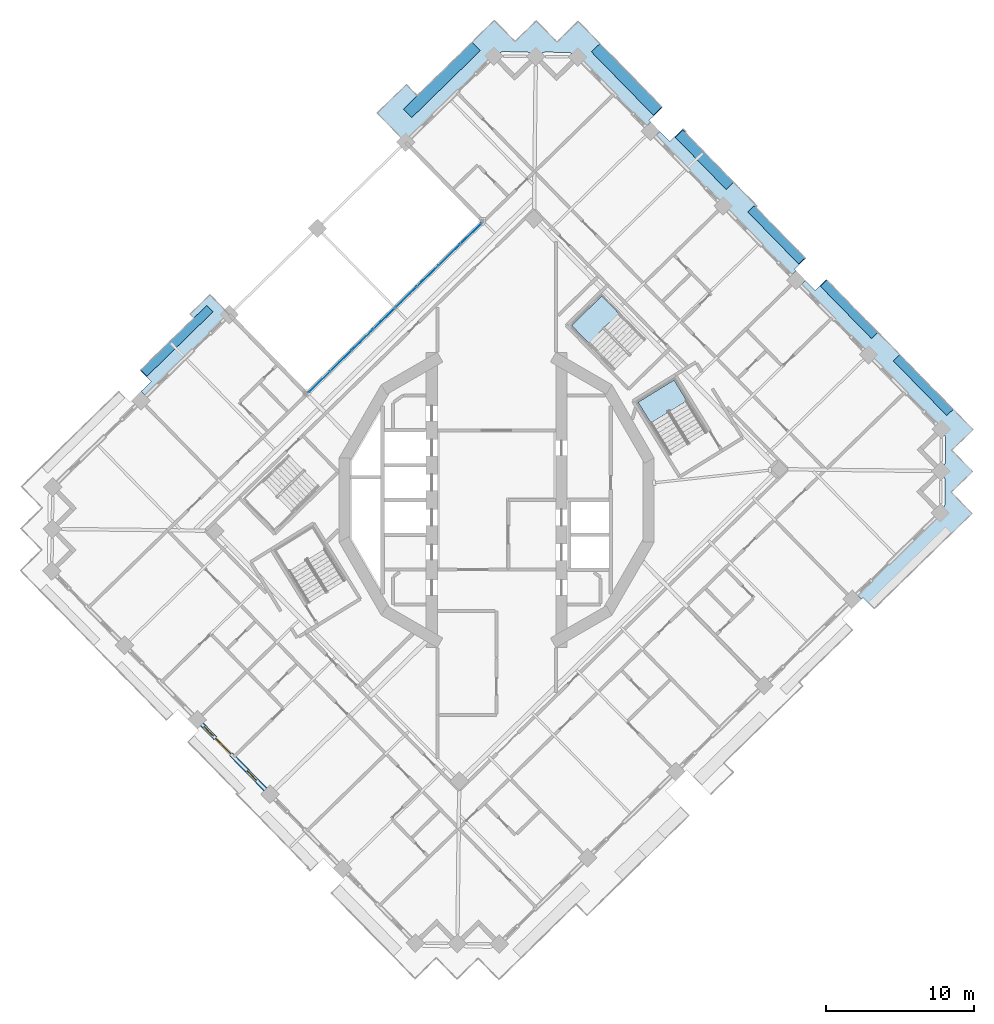
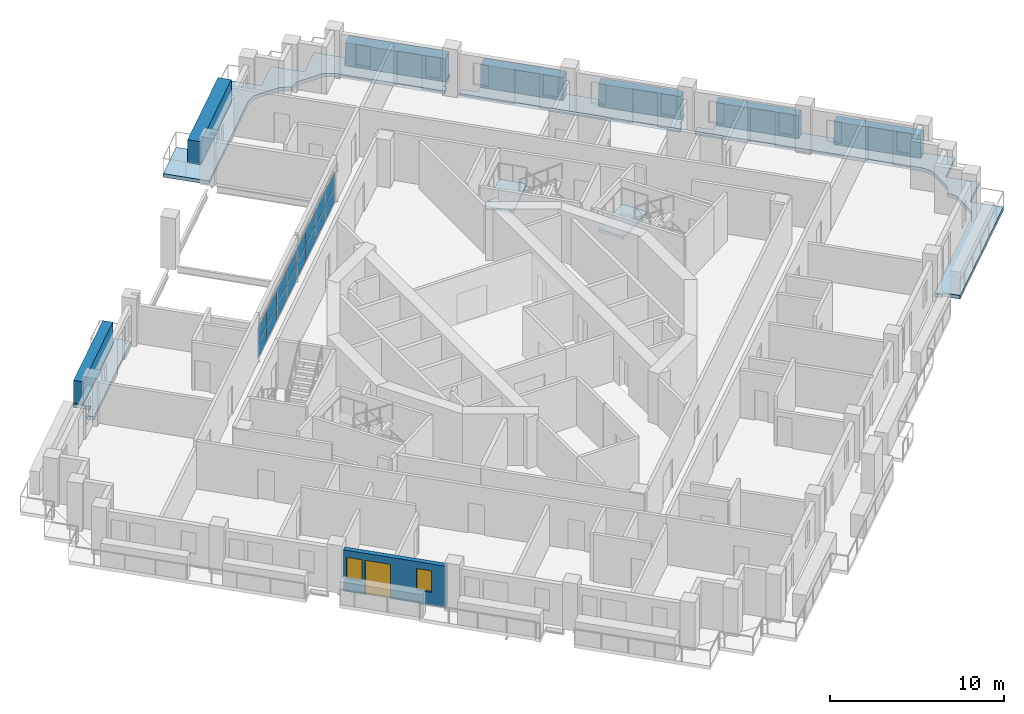
# One storey, part 4 of 18: 23 plates, 6 slabs, 2 windows, 1 door, 1 wall, 3 openings, 3 elements without a shape of their own.
"""IFC4 building model written with IfcOpenShell, lengths in metres."""

from ifc_helpers import new_model, si_unit, direction, frame, frame_2d, origin, origin_2d, place, context, subcontext, project, spatial, polyline, rectangle, outline, extrude, material, layer, layer_set, type_object, element, fill, aggregate, save


model = new_model("IFC4")

# Units and contexts
model_context = context("Model", 3, precision=1e-05, world=origin(), true_north=direction((0.0, 1.0)))
body_context = subcontext(model_context, "Body", "Model", "MODEL_VIEW")
ifc_project = project(units=[si_unit("LENGTHUNIT", "METRE"), si_unit("AREAUNIT", "SQUARE_METRE"), si_unit("VOLUMEUNIT", "CUBIC_METRE"), si_unit("PLANEANGLEUNIT", "RADIAN"), si_unit("MASSUNIT", "GRAM", prefix="KILO")], contexts=[model_context])

# Site, building, storey
site_placement = place(None, origin())
site = spatial("IfcSite", under=ifc_project, at=site_placement, CompositionType="ELEMENT")
building_placement = place(site_placement, origin())
building = spatial("IfcBuilding", under=site, at=building_placement, Name="Cantera Rosa Tower", CompositionType="ELEMENT")
storey_placement = place(building_placement, frame((0.0, 0.0, 219.800048828125)))
storey = spatial("IfcBuildingStorey", under=building, at=storey_placement, Name="L47", CompositionType="ELEMENT", Elevation=219.800048828125)

# Curtain wall, plates
ifc_material_1 = material(Name="Aluminium frame with clear glass", Category="aluminium")
curtain_wall_type = type_object("IfcCurtainWallType", Name="CW1 TERRACE POCKET GLAZING", PredefinedType="NOTDEFINED", material=ifc_material_1)
curtain_wall_placement = place(storey_placement, origin())
curtain_wall = element("IfcCurtainWall", 1, at=curtain_wall_placement, inside=storey, type_object=curtain_wall_type, Name="CW1 CW1", PredefinedType="NOTDEFINED")
ifc_material_2 = material(Name="Aluminium frame with clear glass", Category="aluminium")
ifc_layer_1 = layer(ifc_material_2, 0.028076171875)
ifc_layer_set_1 = layer_set([ifc_layer_1], Name="CW-PANEL POCKET")
plate_type_1 = type_object("IfcPlateType", Name="CW-PANEL POCKET", PredefinedType="CURTAIN_PANEL", material=ifc_layer_set_1)
plate_1_placement = place(storey_placement, frame((-1.724609375, 17.95751953125, 0.06005859375), z_axis=(0.0, 0.0, 1.0), x_axis=(-0.71528629107, -0.698831540364, 0.0)))
plate_1 = element("IfcPlate", 2, at=plate_1_placement, type_object=plate_type_1, Name="CW1 panel 1.1", PredefinedType="CURTAIN_PANEL", context=body_context, shape_type="SweptSolid", body=[
    extrude(rectangle(XDim=1.958740234375, YDim=0.028076171875, at=origin_2d()), origin(), (0.0, 0.0, 1.0), 1.012939453125),
])
plate_2_placement = place(storey_placement, frame((-1.724609375, 17.95751953125, 1.1328125), z_axis=(0.0, 0.0, 1.0), x_axis=(-0.71528629107, -0.698831540364, 0.0)))
plate_2 = element("IfcPlate", 3, at=plate_2_placement, type_object=plate_type_1, Name="CW1 panel 1.2", PredefinedType="CURTAIN_PANEL", context=body_context, shape_type="SweptSolid", body=[
    extrude(rectangle(XDim=1.958740234375, YDim=0.028076171875, at=origin_2d()), origin(), (0.0, 0.0, 1.0), 1.012939453125),
])
plate_3_placement = place(storey_placement, frame((-3.179443359375, 16.5361328125, 0.06005859375), z_axis=(0.0, 0.0, 1.0), x_axis=(-0.71528629107, -0.698831540364, 0.0)))
plate_3 = element("IfcPlate", 4, at=plate_3_placement, type_object=plate_type_1, Name="CW1 panel 2.1", PredefinedType="CURTAIN_PANEL", context=body_context, shape_type="SweptSolid", body=[
    extrude(rectangle(XDim=1.98876953125, YDim=0.028076171875, at=origin_2d()), origin(), (0.0, 0.0, 1.0), 1.012939453125),
])
plate_4_placement = place(storey_placement, frame((-3.179443359375, 16.5361328125, 1.1328125), z_axis=(0.0, 0.0, 1.0), x_axis=(-0.71528629107, -0.698831540364, 0.0)))
plate_4 = element("IfcPlate", 5, at=plate_4_placement, type_object=plate_type_1, Name="CW1 panel 2.2", PredefinedType="CURTAIN_PANEL", context=body_context, shape_type="SweptSolid", body=[
    extrude(rectangle(XDim=1.98876953125, YDim=0.028076171875, at=origin_2d()), origin(), (0.0, 0.0, 1.0), 1.012939453125),
])
plate_5_placement = place(storey_placement, frame((-4.644775390625, 15.1044921875, 0.06005859375), z_axis=(0.0, 0.0, 1.0), x_axis=(-0.71528629107, -0.698831540364, 0.0)))
plate_5 = element("IfcPlate", 6, at=plate_5_placement, type_object=plate_type_1, Name="CW1 panel 3.1", PredefinedType="CURTAIN_PANEL", context=body_context, shape_type="SweptSolid", body=[
    extrude(rectangle(XDim=1.98876953125, YDim=0.028076171875, at=origin_2d()), origin(), (0.0, 0.0, 1.0), 1.012939453125),
])
plate_6_placement = place(storey_placement, frame((-4.644775390625, 15.1044921875, 1.1328125), z_axis=(0.0, 0.0, 1.0), x_axis=(-0.71528629107, -0.698831540364, 0.0)))
plate_6 = element("IfcPlate", 7, at=plate_6_placement, type_object=plate_type_1, Name="CW1 panel 3.2", PredefinedType="CURTAIN_PANEL", context=body_context, shape_type="SweptSolid", body=[
    extrude(rectangle(XDim=1.98876953125, YDim=0.028076171875, at=origin_2d()), origin(), (0.0, 0.0, 1.0), 1.012939453125),
])
plate_7_placement = place(storey_placement, frame((-6.1103515625, 13.6728515625, 0.06005859375), z_axis=(0.0, 0.0, 1.0), x_axis=(-0.71528629107, -0.698831540364, 0.0)))
plate_7 = element("IfcPlate", 8, at=plate_7_placement, type_object=plate_type_1, Name="CW1 panel 4.1", PredefinedType="CURTAIN_PANEL", context=body_context, shape_type="SweptSolid", body=[
    extrude(rectangle(XDim=1.98876953125, YDim=0.028076171875, at=origin_2d()), origin(), (0.0, 0.0, 1.0), 1.012939453125),
])
plate_8_placement = place(storey_placement, frame((-6.1103515625, 13.6728515625, 1.1328125), z_axis=(0.0, 0.0, 1.0), x_axis=(-0.71528629107, -0.698831540364, 0.0)))
plate_8 = element("IfcPlate", 9, at=plate_8_placement, type_object=plate_type_1, Name="CW1 panel 4.2", PredefinedType="CURTAIN_PANEL", context=body_context, shape_type="SweptSolid", body=[
    extrude(rectangle(XDim=1.98876953125, YDim=0.028076171875, at=origin_2d()), origin(), (0.0, 0.0, 1.0), 1.012939453125),
])
plate_9_placement = place(storey_placement, frame((-7.57568359375, 12.240966796875, 0.06005859375), z_axis=(0.0, 0.0, 1.0), x_axis=(-0.71528629107, -0.698831540364, 0.0)))
plate_9 = element("IfcPlate", 10, at=plate_9_placement, type_object=plate_type_1, Name="CW1 panel 5.1", PredefinedType="CURTAIN_PANEL", context=body_context, shape_type="SweptSolid", body=[
    extrude(rectangle(XDim=1.98876953125, YDim=0.028076171875, at=origin_2d()), origin(), (0.0, 0.0, 1.0), 1.012939453125),
])
plate_10_placement = place(storey_placement, frame((-7.57568359375, 12.240966796875, 1.1328125), z_axis=(0.0, 0.0, 1.0), x_axis=(-0.71528629107, -0.698831540364, 0.0)))
plate_10 = element("IfcPlate", 11, at=plate_10_placement, type_object=plate_type_1, Name="CW1 panel 5.2", PredefinedType="CURTAIN_PANEL", context=body_context, shape_type="SweptSolid", body=[
    extrude(rectangle(XDim=1.98876953125, YDim=0.028076171875, at=origin_2d()), origin(), (0.0, 0.0, 1.0), 1.012939453125),
])
plate_11_placement = place(storey_placement, frame((-9.041259765625, 10.809326171875, 0.06005859375), z_axis=(0.0, 0.0, 1.0), x_axis=(-0.71528629107, -0.698831540364, 0.0)))
plate_11 = element("IfcPlate", 12, at=plate_11_placement, type_object=plate_type_1, Name="CW1 panel 6.1", PredefinedType="CURTAIN_PANEL", context=body_context, shape_type="SweptSolid", body=[
    extrude(rectangle(XDim=1.98876953125, YDim=0.028076171875, at=origin_2d()), origin(), (0.0, 0.0, 1.0), 1.012939453125),
])
plate_12_placement = place(storey_placement, frame((-9.041259765625, 10.809326171875, 1.1328125), z_axis=(0.0, 0.0, 1.0), x_axis=(-0.71528629107, -0.698831540364, 0.0)))
plate_12 = element("IfcPlate", 13, at=plate_12_placement, type_object=plate_type_1, Name="CW1 panel 6.2", PredefinedType="CURTAIN_PANEL", context=body_context, shape_type="SweptSolid", body=[
    extrude(rectangle(XDim=1.98876953125, YDim=0.028076171875, at=origin_2d()), origin(), (0.0, 0.0, 1.0), 1.012939453125),
])
plate_13_placement = place(storey_placement, frame((-10.506591796875, 9.377685546875, 0.06005859375), z_axis=(0.0, 0.0, 1.0), x_axis=(-0.71528629107, -0.698831540364, 0.0)))
plate_13 = element("IfcPlate", 14, at=plate_13_placement, type_object=plate_type_1, Name="CW1 panel 7.1", PredefinedType="CURTAIN_PANEL", context=body_context, shape_type="SweptSolid", body=[
    extrude(rectangle(XDim=1.98876953125, YDim=0.028076171875, at=origin_2d()), origin(), (0.0, 0.0, 1.0), 1.012939453125),
])
plate_14_placement = place(storey_placement, frame((-10.506591796875, 9.377685546875, 1.1328125), z_axis=(0.0, 0.0, 1.0), x_axis=(-0.71528629107, -0.698831540364, 0.0)))
plate_14 = element("IfcPlate", 15, at=plate_14_placement, type_object=plate_type_1, Name="CW1 panel 7.2", PredefinedType="CURTAIN_PANEL", context=body_context, shape_type="SweptSolid", body=[
    extrude(rectangle(XDim=1.98876953125, YDim=0.028076171875, at=origin_2d()), origin(), (0.0, 0.0, 1.0), 1.012939453125),
])
plate_15_placement = place(storey_placement, frame((-11.96142578125, 7.956298828125, 0.06005859375), z_axis=(0.0, 0.0, 1.0), x_axis=(-0.71528629107, -0.698831540364, 0.0)))
plate_15 = element("IfcPlate", 16, at=plate_15_placement, type_object=plate_type_1, Name="CW1 panel 8.1", PredefinedType="CURTAIN_PANEL", context=body_context, shape_type="SweptSolid", body=[
    extrude(rectangle(XDim=1.958740234375, YDim=0.028076171875, at=origin_2d()), origin(), (0.0, 0.0, 1.0), 1.012939453125),
])
plate_16_placement = place(storey_placement, frame((-11.96142578125, 7.956298828125, 1.1328125), z_axis=(0.0, 0.0, 1.0), x_axis=(-0.71528629107, -0.698831540364, 0.0)))
plate_16 = element("IfcPlate", 17, at=plate_16_placement, type_object=plate_type_1, Name="CW1 panel 8.2", PredefinedType="CURTAIN_PANEL", context=body_context, shape_type="SweptSolid", body=[
    extrude(rectangle(XDim=1.958740234375, YDim=0.028076171875, at=origin_2d()), origin(), (0.0, 0.0, 1.0), 1.012939453125),
])
aggregate(curtain_wall, [plate_1, plate_2, plate_3, plate_4, plate_5, plate_6, plate_7, plate_8, plate_9, plate_10, plate_11, plate_12, plate_13, plate_14, plate_15, plate_16])

# Slabs
ifc_material_3 = material(Name="Concrete C35/45", Category="concrete")
ifc_layer_2 = layer(ifc_material_3, 0.25)
ifc_layer_set_2 = layer_set([ifc_layer_2], Name="LOGGIA SLAB 250 C35/45")
slab_type_1 = type_object("IfcSlabType", Name="LOGGIA SLAB 250 C35/45", PredefinedType="FLOOR", material=ifc_layer_set_2)
slab_1_placement = place(storey_placement, frame((0.0, 0.0, -0.25)))
element("IfcSlab", 18, at=slab_1_placement, inside=storey, type_object=slab_type_1, Name="LOGGIA SLAB L47 2", PredefinedType="FLOOR", context=body_context, shape_type="SweptSolid", body=[
    extrude(outline(polyline([(-20.669189453125, 12.537841796875), (-19.3369140625, 13.839599609375), (-18.035400390625, 12.50732421875), (-23.664794921875, 7.007568359375), (-23.979248046875, 7.329345703125), (-23.2998046875, 7.9931640625), (-24.033447265625, 8.744384765625), (-23.9619140625, 8.814208984375), (-20.416015625, 12.278564453125), (-20.669189453125, 12.537841796875)])), origin(), (0.0, 0.0, 1.0), 0.25),
])
slab_2_placement = place(storey_placement, frame((0.0, 0.0, -0.25)))
element("IfcSlab", 19, at=slab_2_placement, inside=storey, type_object=slab_type_1, Name="LOGGIA SLAB L47 4", PredefinedType="FLOOR", context=body_context, shape_type="SweptSolid", body=[
    extrude(outline(polyline([(-1.369873046875, 31.166015625), (-0.15380859375, 32.35400390625), (1.0341796875, 31.13818359375), (1.243896484375, 30.923583984375), (1.45849609375, 31.13330078125), (2.67431640625, 32.3212890625), (3.8623046875, 31.105224609375), (4.072021484375, 30.890625), (4.28662109375, 31.100341796875), (5.502685546875, 32.288330078125), (6.690673828125, 31.072265625), (11.177001953125, 26.480224609375), (10.282958984375, 25.606689453125), (10.3876953125, 25.499267578125), (10.06591796875, 25.184814453125), (5.474609375, 29.88427734375), (4.982666015625, 30.154541015625), (4.956298828125, 30.16748046875), (4.9287109375, 30.177734375), (4.900146484375, 30.185302734375), (4.87109375, 30.18994140625), (4.841796875, 30.191650390625), (3.2861328125, 30.209716796875), (3.2568359375, 30.208740234375), (3.2275390625, 30.20458984375), (3.198974609375, 30.197998046875), (3.171142578125, 30.188232421875), (3.144287109375, 30.176025390625), (2.646484375, 29.917236328125), (2.154541015625, 30.1875), (2.1279296875, 30.200439453125), (2.100341796875, 30.210693359375), (2.072021484375, 30.218017578125), (2.04296875, 30.222900390625), (2.013427734375, 30.224609375), (0.4580078125, 30.24267578125), (0.4287109375, 30.24169921875), (0.3994140625, 30.237548828125), (0.37060546875, 30.230712890625), (0.343017578125, 30.22119140625), (0.316162109375, 30.208984375), (-0.181884765625, 29.9501953125), (-0.883056640625, 29.26513671875), (-6.133056640625, 24.1357421875), (-8.052490234375, 26.100341796875), (-6.087890625, 28.019775390625), (-5.3564453125, 27.271240234375), (-1.369873046875, 31.166015625)])), origin(), (0.0, 0.0, 1.0), 0.25),
])
slab_3_placement = place(storey_placement, frame((0.0, 0.0, -0.25)))
element("IfcSlab", 20, at=slab_3_placement, inside=storey, type_object=slab_type_1, Name="LOGGIA SLAB L47 6", PredefinedType="FLOOR", context=body_context, shape_type="SweptSolid", body=[
    extrude(outline(polyline([(17.57177734375, 19.815185546875), (17.488525390625, 19.73388671875), (20.216796875, 16.94140625), (20.845703125, 16.2978515625), (20.094482421875, 15.56396484375), (20.199462890625, 15.456787109375), (19.87744140625, 15.14208984375), (10.69482421875, 24.541015625), (11.016845703125, 24.855712890625), (11.6806640625, 24.176025390625), (12.57470703125, 25.049560546875), (12.784423828125, 24.8349609375), (12.724609375, 24.776611328125), (17.57177734375, 19.815185546875)])), origin(), (0.0, 0.0, 1.0), 0.25),
])
slab_4_placement = place(storey_placement, frame((0.0, 0.0, -0.25)))
element("IfcSlab", 21, at=slab_4_placement, inside=storey, type_object=slab_type_1, Name="LOGGIA SLAB L47 8", PredefinedType="FLOOR", context=body_context, shape_type="SweptSolid", body=[
    extrude(outline(polyline([(27.218994140625, 9.7744140625), (31.076416015625, 5.825927734375), (32.124755859375, 4.753173828125), (31.0517578125, 3.704833984375), (30.694091796875, 3.35546875), (31.043701171875, 2.997802734375), (32.091796875, 1.9248046875), (31.018798828125, 0.876708984375), (30.661376953125, 0.527099609375), (31.0107421875, 0.16943359375), (32.05908203125, -0.9033203125), (30.986083984375, -1.95166015625), (26.10791015625, -6.7177734375), (25.464111328125, -7.3466796875), (24.730224609375, -6.595703125), (24.622802734375, -6.700439453125), (24.30859375, -6.37841796875), (29.937744140625, -0.878662109375), (30.2080078125, -0.386962890625), (30.220947265625, -0.3603515625), (30.231201171875, -0.332763671875), (30.23876953125, -0.30419921875), (30.243408203125, -0.275146484375), (30.2451171875, -0.245849609375), (30.26318359375, 1.309814453125), (30.26220703125, 1.339111328125), (30.25830078125, 1.368408203125), (30.25146484375, 1.39697265625), (30.24169921875, 1.4248046875), (30.2294921875, 1.451416015625), (29.970703125, 1.949462890625), (30.240966796875, 2.44140625), (30.25390625, 2.4677734375), (30.26416015625, 2.495361328125), (30.271484375, 2.52392578125), (30.2763671875, 2.552978515625), (30.278076171875, 2.58251953125), (30.296142578125, 4.137939453125), (30.295166015625, 4.167236328125), (30.291015625, 4.196533203125), (30.2841796875, 4.22509765625), (30.274658203125, 4.2529296875), (30.262451171875, 4.27978515625), (30.003662109375, 4.777587890625), (20.506591796875, 14.49853515625), (20.828369140625, 14.81298828125), (21.4921875, 14.13330078125), (22.243408203125, 14.8671875), (22.313232421875, 14.795654296875), (25.12255859375, 11.920166015625), (27.218994140625, 9.7744140625)])), origin(), (0.0, 0.0, 1.0), 0.25),
])

# Plates
ifc_material_4 = material(Name="Cantera stone planter with soil", Category="masonry")
plate_type_2 = type_object("IfcPlateType", Name="PLANTER 600", PredefinedType="USERDEFINED", material=ifc_material_4)
plate_17_placement = place(storey_placement, frame((28.77587890625, 7.75146484375, 0.0), z_axis=(0.0, 0.0, 1.0), x_axis=(-0.698831540364, 0.71528629107, 0.0)))
element("IfcPlate", 22, at=plate_17_placement, inside=storey, type_object=plate_type_2, Name="PLANTER L47-01", ObjectType="PLANTER", PredefinedType="USERDEFINED", context=body_context, shape_type="SweptSolid", body=[
    extrude(rectangle(XDim=5.169921875, YDim=0.60009765625, at=origin_2d()), origin(), (0.0, 0.0, 1.0), 1.60009765625),
])
for number, where, z_axis, x_axis, name in (
    (23, (23.78271484375, 12.8623046875, 0.0), (0.0, 0.0, 1.0), (-0.698831540364, 0.71528629107, 0.0), "PLANTER L47-02"),
    (24, (18.876953125, 17.883544921875, 0.0), (0.0, 0.0, 1.0), (-0.698831540364, 0.71528629107, 0.0), "PLANTER L47-03"),
):
    element("IfcPlate", number, at=place(storey_placement, frame(where, z_axis=z_axis, x_axis=x_axis)), inside=storey, type_object=plate_type_2, Name=name, ObjectType="PLANTER", PredefinedType="USERDEFINED", context=body_context, shape_type="SweptSolid", body=[
        extrude(rectangle(XDim=4.919921875, YDim=0.60009765625, at=origin_2d()), origin(), (0.0, 0.0, 1.0), 1.60009765625),
    ])
plate_18_placement = place(storey_placement, frame((-21.5634765625, 10.738037109375, 0.0), z_axis=(0.0, 0.0, 1.0), x_axis=(-0.71528629107, -0.698831540364, 0.0)))
element("IfcPlate", 25, at=plate_18_placement, inside=storey, type_object=plate_type_2, Name="PLANTER L47-09", ObjectType="PLANTER", PredefinedType="USERDEFINED", context=body_context, shape_type="SweptSolid", body=[
    extrude(rectangle(XDim=6.219970703125, YDim=0.60009765625, at=origin_2d()), origin(), (0.0, 0.0, 1.0), 1.60009765625),
])
ifc_material_5 = material(Name="Cantera stone planter with soil", Category="masonry")
plate_type_3 = type_object("IfcPlateType", Name="PLANTER 700", PredefinedType="USERDEFINED", material=ifc_material_5)
plate_19_placement = place(storey_placement, frame((14.0185546875, 22.951171875, 0.0), z_axis=(0.0, 0.0, 1.0), x_axis=(-0.698831540364, 0.71528629107, 0.0)))
element("IfcPlate", 26, at=plate_19_placement, inside=storey, type_object=plate_type_3, Name="PLANTER L47-04", ObjectType="PLANTER", PredefinedType="USERDEFINED", context=body_context, shape_type="SweptSolid", body=[
    extrude(rectangle(XDim=4.919921875, YDim=0.699951171875, at=origin_2d()), origin(), (0.0, 0.0, 1.0), 1.60009765625),
])
ifc_material_6 = material(Name="Cantera stone planter with soil", Category="masonry")
plate_type_4 = type_object("IfcPlateType", Name="PLANTER 800", PredefinedType="USERDEFINED", material=ifc_material_6)
plate_20_placement = place(storey_placement, frame((8.77001953125, 28.37158203125, 0.0), z_axis=(0.0, 0.0, 1.0), x_axis=(-0.698831540364, 0.71528629107, 0.0)))
element("IfcPlate", 27, at=plate_20_placement, inside=storey, type_object=plate_type_4, Name="PLANTER L47-05", ObjectType="PLANTER", PredefinedType="USERDEFINED", context=body_context, shape_type="SweptSolid", body=[
    extrude(rectangle(XDim=5.969970703125, YDim=0.800048828125, at=origin_2d()), origin(), (0.0, 0.0, 1.0), 1.60009765625),
])
plate_21_placement = place(storey_placement, frame((-3.6904296875, 28.33984375, 0.0), z_axis=(0.0, 0.0, 1.0), x_axis=(-0.71528629107, -0.698831540364, 0.0)))
element("IfcPlate", 28, at=plate_21_placement, inside=storey, type_object=plate_type_4, Name="PLANTER L47-06", ObjectType="PLANTER", PredefinedType="USERDEFINED", context=body_context, shape_type="SweptSolid", body=[
    extrude(rectangle(XDim=6.469970703125, YDim=0.800048828125, at=origin_2d()), origin(), (0.0, 0.0, 1.0), 1.60009765625),
])

# Stair, slab
ifc_material_7 = material(Name="Concrete C35/45", Category="concrete")
stair_type = type_object("IfcStairType", Name="EXIT STAIR 1350 DOGLEG", PredefinedType="HALF_TURN_STAIR", material=ifc_material_7)
stair_1_placement = place(storey_placement, origin())
stair_1 = element("IfcStair", 29, at=stair_1_placement, inside=storey, type_object=stair_type, Name="L47 ST-41", PredefinedType="HALF_TURN_STAIR")
ifc_material_8 = material(Name="Concrete C35/45", Category="concrete")
ifc_layer_3 = layer(ifc_material_8, 0.199951171875)
ifc_layer_set_3 = layer_set([ifc_layer_3], Name="STAIR LANDING 200")
slab_type_2 = type_object("IfcSlabType", Name="STAIR LANDING 200", PredefinedType="LANDING", material=ifc_layer_set_3)
slab_5_placement = place(storey_placement, frame((0.0, 0.0, 1.599853515625)))
slab_5 = element("IfcSlab", 30, at=slab_5_placement, type_object=slab_type_2, Name="ST-41 landing 1", PredefinedType="LANDING", context=body_context, shape_type="SweptSolid", body=[
    extrude(outline(polyline([(12.8310546875, 6.691162109375), (11.96923828125, 8.088623046875), (9.54345703125, 6.592529296875), (10.405517578125, 5.19482421875), (12.8310546875, 6.691162109375)])), origin(), (0.0, 0.0, 1.0), 0.2001953125),
])
aggregate(stair_1, [slab_5])

stair_2_placement = place(storey_placement, origin())
stair_2 = element("IfcStair", 31, at=stair_2_placement, inside=storey, type_object=stair_type, Name="L47 ST-42", PredefinedType="HALF_TURN_STAIR")
slab_6_placement = place(storey_placement, frame((0.0, 0.0, 1.599853515625)))
slab_6 = element("IfcSlab", 32, at=slab_6_placement, type_object=slab_type_2, Name="ST-42 landing 1", PredefinedType="LANDING", context=body_context, shape_type="SweptSolid", body=[
    extrude(outline(polyline([(8.244873046875, 12.58837890625), (7.097412109375, 13.762939453125), (5.058837890625, 11.771240234375), (6.206298828125, 10.5966796875), (8.244873046875, 12.58837890625)])), origin(), (0.0, 0.0, 1.0), 0.2001953125),
])
aggregate(stair_2, [slab_6])

# Wall, openings, windows, door
ifc_material_9 = material(Name="Hollow clay masonry with cantera stone cladding", Category="masonry")
ifc_layer_4 = layer(ifc_material_9, 0.300048828125)
ifc_layer_set_4 = layer_set([ifc_layer_4], Name="EW-LOGGIA 300 H2890")
wall_type = type_object("IfcWallType", Name="EW-LOGGIA 300 H2890", PredefinedType="SOLIDWALL", material=ifc_layer_set_4)
wall_placement = place(storey_placement, frame((-19.87744140625, -15.142333984375, 0.0), z_axis=(0.0, 0.0, 1.0), x_axis=(0.698841120217, -0.71527693147, 0.0)))
wall = element("IfcWall", 33, at=wall_placement, inside=storey, type_object=wall_type, Name="EN-L47-W16", PredefinedType="SOLIDWALL", context=body_context, shape_type="SweptSolid", body=[
    extrude(rectangle(XDim=6.119873046875, YDim=0.300048828125, at=frame_2d((3.06005859375, 0.0))), origin(), (0.0, 0.0, 1.0), 2.889892578125),
])
opening_1_placement = place(wall_placement, frame((0.199951171875, 0.0, 0.89990234375)))
opening_1 = element("IfcOpeningElement", 34, at=opening_1_placement, cuts=wall, Name="Opening L47-W28", PredefinedType="OPENING", context=body_context, shape_type="SweptSolid", body=[
    extrude(rectangle(XDim=0.89990234375, YDim=1.5, at=frame_2d((0.449951171875, 0.75))), frame((0.0, 0.159912109375, 0.0), z_axis=(0.0, -1.0, 0.0), x_axis=(1.0, 0.0, 0.0)), (0.0, 0.0, 1.0), 0.320068359375),
])
opening_2_placement = place(wall_placement, frame((1.300048828125, 0.0, 0.0)))
opening_2 = element("IfcOpeningElement", 35, at=opening_2_placement, cuts=wall, Name="Opening L47-TD29", PredefinedType="OPENING", context=body_context, shape_type="SweptSolid", body=[
    extrude(rectangle(XDim=1.5, YDim=2.39990234375, at=frame_2d((0.75, 1.199951171875))), frame((0.0, 0.159912109375, 0.0), z_axis=(0.0, -1.0, 0.0), x_axis=(1.0, 0.0, 0.0)), (0.0, 0.0, 1.0), 0.320068359375),
])
opening_3_placement = place(wall_placement, frame((4.364990234375, 0.0, 0.89990234375)))
opening_3 = element("IfcOpeningElement", 36, at=opening_3_placement, cuts=wall, Name="Opening L47-W30", PredefinedType="OPENING", context=body_context, shape_type="SweptSolid", body=[
    extrude(rectangle(XDim=0.89990234375, YDim=1.5, at=frame_2d((0.449951171875, 0.75))), frame((0.0, 0.159912109375, 0.0), z_axis=(0.0, -1.0, 0.0), x_axis=(1.0, 0.0, 0.0)), (0.0, 0.0, 1.0), 0.320068359375),
])
ifc_material_10 = material(Name="Aluminium frame with clear glass", Category="aluminium")
window_type = type_object("IfcWindowType", Name="Residential window 900x1500", PartitioningType="SINGLE_PANEL", PredefinedType="WINDOW", material=ifc_material_10)
window_1_placement = place(opening_1_placement, origin())
window_1 = element("IfcWindow", 37, at=window_1_placement, inside=storey, type_object=window_type, Name="WINDOW L47-W28", OverallHeight=1.5, OverallWidth=0.89990234375, PartitioningType="SINGLE_PANEL", PredefinedType="WINDOW", context=body_context, shape_type="SweptSolid", body=[
    extrude(rectangle(XDim=0.89990234375, YDim=1.5, at=frame_2d((0.449951171875, 0.75))), frame((0.0, 0.030029296875, 0.0), z_axis=(0.0, -1.0, 0.0), x_axis=(1.0, 0.0, 0.0)), (0.0, 0.0, 1.0), 0.06005859375),
])
fill(opening_1, window_1)
window_2_placement = place(opening_3_placement, origin())
window_2 = element("IfcWindow", 38, at=window_2_placement, inside=storey, type_object=window_type, Name="WINDOW L47-W30", OverallHeight=1.5, OverallWidth=0.89990234375, PartitioningType="SINGLE_PANEL", PredefinedType="WINDOW", context=body_context, shape_type="SweptSolid", body=[
    extrude(rectangle(XDim=0.89990234375, YDim=1.5, at=frame_2d((0.449951171875, 0.75))), frame((0.0, 0.030029296875, 0.0), z_axis=(0.0, -1.0, 0.0), x_axis=(1.0, 0.0, 0.0)), (0.0, 0.0, 1.0), 0.06005859375),
])
fill(opening_3, window_2)
ifc_material_11 = material(Name="Aluminium frame with clear glass", Category="aluminium")
door_type = type_object("IfcDoorType", Name="TD-R 1500x2400", OperationType="NOTDEFINED", PredefinedType="DOOR", material=ifc_material_11)
door_placement = place(opening_2_placement, origin())
door = element("IfcDoor", 39, at=door_placement, inside=storey, type_object=door_type, Name="LOGGIA DOOR L47-TD29", OperationType="SLIDING_TO_LEFT", OverallHeight=2.39990234375, OverallWidth=1.5, PredefinedType="DOOR", context=body_context, shape_type="SweptSolid", body=[
    extrude(rectangle(XDim=1.5, YDim=2.39990234375, at=frame_2d((0.75, 1.199951171875))), frame((0.0, 0.02490234375, 0.0), z_axis=(0.0, -1.0, 0.0), x_axis=(1.0, 0.0, 0.0)), (0.0, 0.0, 1.0), 0.050048828125),
])
fill(opening_2, door)

save(model, "model.ifc")
